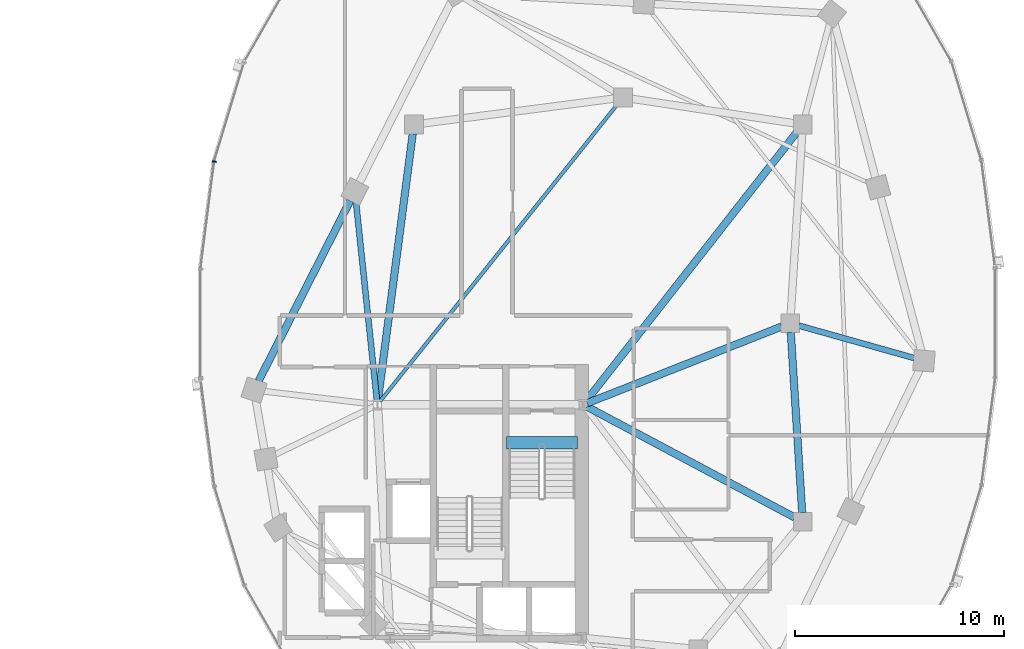
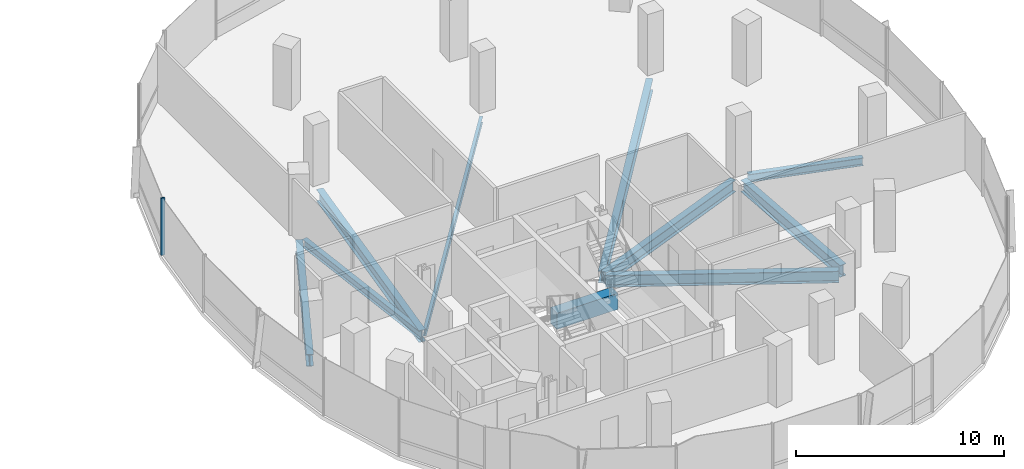
# One storey, part 7 of 22: 10 beams, 1 member, 1 element without a shape of its own.
"""IFC4 building model written with IfcOpenShell, lengths in metres."""

import ifcopenshell
import ifcopenshell.guid

model = None  # the IFC model being written
_history = None  # IfcOwnerHistory: only IFC2X3 demands one
_inside = {}  # id of a spatial element -> (the spatial element, [elements in it])
_under = {}  # id of a project, library or spatial element -> (it, [spatial elements below it])
_declared = {}  # id of a project -> (the project, [libraries it declares])
_typed = {}  # id of a type object -> (the type object, [elements of that type])
_made_of = {}  # id of a material, layer set ... -> (it, [elements and type objects made of it])


def new_model(schema):
    """Start an empty IFC model of exactly this schema.

    Asked for "IFC4X3", IfcOpenShell would pick the latest addendum, in which some entities
    have other attributes; the version numbers below select the first issue.
    IFC2X3 requires an IfcOwnerHistory on every rooted entity: one is made here for all.
    """
    global model, _history
    if schema == "IFC4X3":
        model = ifcopenshell.file(schema_version=(4, 3, 0, 0))
    else:
        model = ifcopenshell.file(schema=schema)
    _inside.clear()
    _under.clear()
    _declared.clear()
    _typed.clear()
    _made_of.clear()
    _history = None
    if model.schema == "IFC2X3":
        org = make("IfcOrganization", Name="unknown")
        user = make(
            "IfcPersonAndOrganization",
            ThePerson=make("IfcPerson", FamilyName="unknown"),
            TheOrganization=org,
        )
        app = make(
            "IfcApplication",
            ApplicationDeveloper=org,
            Version="unknown",
            ApplicationFullName="unknown",
            ApplicationIdentifier="unknown",
        )
        _history = make(
            "IfcOwnerHistory",
            OwningUser=user,
            OwningApplication=app,
            ChangeAction="ADDED",
            CreationDate=0,
        )
    return model


def make(cls, **values):
    """One entity of the class cls with the attributes given. An attribute that is None is left unset."""
    return model.create_entity(
        cls, **{name: value for name, value in values.items() if value is not None}
    )


def rooted(cls, **values):
    """An entity with a GlobalId (a new one), such as an element, a storey or a relation."""
    return make(cls, GlobalId=ifcopenshell.guid.new(), OwnerHistory=_history, **values)


def si_unit(unit_type, name, prefix=None):
    """IfcSIUnit, for example si_unit("LENGTHUNIT", "METRE", prefix="MILLI")."""
    return make("IfcSIUnit", UnitType=unit_type, Prefix=prefix, Name=name)


def assignment(units):
    """IfcUnitAssignment: the units of a project."""
    return None if units is None else make("IfcUnitAssignment", Units=units)


def point(xyz):
    """IfcCartesianPoint."""
    return None if xyz is None else make("IfcCartesianPoint", Coordinates=xyz)


def direction(xyz):
    """IfcDirection."""
    return None if xyz is None else make("IfcDirection", DirectionRatios=xyz)


def frame(location, z_axis=None, x_axis=None):
    """IfcAxis2Placement3D, a coordinate frame: its origin and axes. An axis left out is left unset."""
    return make(
        "IfcAxis2Placement3D",
        Location=point(location),
        Axis=direction(z_axis),
        RefDirection=direction(x_axis),
    )


def frame_2d(location, x_axis=None):
    """IfcAxis2Placement2D, a coordinate frame in the plane: its origin and x axis."""
    return make(
        "IfcAxis2Placement2D", Location=point(location), RefDirection=direction(x_axis)
    )


def origin():
    """The frame at (0, 0, 0) with its axes left unset."""
    return frame((0.0, 0.0, 0.0))


def origin_2d():
    """The frame at (0, 0) in the plane with its x axis left unset."""
    return frame_2d((0.0, 0.0))


def place(relative_to, where):
    """IfcLocalPlacement: puts the frame where relative to a parent placement (None: the world)."""
    return make(
        "IfcLocalPlacement", PlacementRelTo=relative_to, RelativePlacement=where
    )


def context(
    kind, dimensions, precision=None, world=None, true_north=None, identifier=None
):
    """IfcGeometricRepresentationContext, for example the 3D "Model" context."""
    return make(
        "IfcGeometricRepresentationContext",
        ContextIdentifier=identifier,
        ContextType=kind,
        CoordinateSpaceDimension=dimensions,
        Precision=precision,
        WorldCoordinateSystem=world,
        TrueNorth=true_north,
    )


def subcontext(parent, identifier, kind, view, scale=None):
    """IfcGeometricRepresentationSubContext, for example "Body" below "Model"."""
    return make(
        "IfcGeometricRepresentationSubContext",
        ContextIdentifier=identifier,
        ContextType=kind,
        ParentContext=parent,
        TargetScale=scale,
        TargetView=view,
    )


def project(units=None, contexts=None):
    """IfcProject with its units and contexts."""
    return rooted(
        "IfcProject",
        Name="project",
        RepresentationContexts=contexts,
        UnitsInContext=assignment(units),
    )


def spatial(cls, under=None, at=None, **own):
    """A site, building, storey or space (cls), placed at a placement, below another one or the project."""
    s = rooted(cls, ObjectPlacement=at, **own)
    if under is not None:
        _under.setdefault(under.id(), (under, []))[1].append(s)
    return s


def profile(cls, at=None, kind="AREA", **sizes):
    """A parametric profile (cls). Its sizes go by their IFC names, for example OverallWidth=200.0."""
    return make(cls, ProfileType=kind, Position=at, **sizes)


def rectangle(**sizes):
    """IfcRectangleProfileDef."""
    return profile("IfcRectangleProfileDef", **sizes)


def i_section(**sizes):
    """IfcIShapeProfileDef."""
    return profile("IfcIShapeProfileDef", **sizes)


def extrude(swept, where, along, depth):
    """IfcExtrudedAreaSolid: the profile swept, set in the frame where, extruded along a direction by depth."""
    return make(
        "IfcExtrudedAreaSolid",
        SweptArea=swept,
        Position=where,
        ExtrudedDirection=direction(along),
        Depth=depth,
    )


def shape(context_of_items, identifier, shape_type, items):
    """IfcShapeRepresentation: the items that make up one representation, for example the "Body"."""
    return make(
        "IfcShapeRepresentation",
        ContextOfItems=context_of_items,
        RepresentationIdentifier=identifier,
        RepresentationType=shape_type,
        Items=items,
    )


def material(Name=None, Category=None):
    """IfcMaterial."""
    return make("IfcMaterial", Name=Name, Category=Category)


def material_profile(
    of_material, cross_section, Name=None, Category=None, Priority=None
):
    """IfcMaterialProfile: a cross section and its material."""
    return make(
        "IfcMaterialProfile",
        Name=Name,
        Material=of_material,
        Profile=cross_section,
        Priority=Priority,
        Category=Category,
    )


def profile_set(profiles, Name=None, composite=None):
    """IfcMaterialProfileSet."""
    return make(
        "IfcMaterialProfileSet",
        Name=Name,
        MaterialProfiles=profiles,
        CompositeProfile=composite,
    )


def made_of(thing, what):
    """Note that an element or type object is made of a material, layer set ...; save() writes the relation."""
    if what is not None:
        _made_of.setdefault(what.id(), (what, []))[1].append(thing)
    return thing


def type_object(cls, material=None, **own):
    """A type object (cls), such as IfcWallType, which elements share."""
    return made_of(rooted(cls, **own), material)


def element(
    cls,
    number,
    at=None,
    inside=None,
    cuts=None,
    type_object=None,
    material=None,
    context=None,
    identifier="Body",
    shape_type=None,
    held_by="IfcProductDefinitionShape",
    body=None,
    shapes=None,
    **own,
):
    """One element of the class cls, such as IfcWall. Its Tag is "e" and its number.

    at: its placement. inside: the storey or other place that contains it. cuts: it is an
    opening in that element (IfcRelVoidsElement). A single representation is given by context,
    identifier, shape_type and body (its items); several are given by shapes. held_by: the class
    of the entity that holds the representations. save() writes the other relations.
    """
    e = rooted(cls, Tag="e%d" % number, ObjectPlacement=at, **own)
    if body is not None:
        shapes = [shape(context, identifier, shape_type, body)]
    if shapes is not None:
        e.Representation = make(held_by, Representations=shapes)
    if inside is not None:
        _inside.setdefault(inside.id(), (inside, []))[1].append(e)
    if cuts is not None:
        rooted(
            "IfcRelVoidsElement", RelatingBuildingElement=cuts, RelatedOpeningElement=e
        )
    if type_object is not None:
        _typed.setdefault(type_object.id(), (type_object, []))[1].append(e)
    return made_of(e, material)


def aggregate(whole, parts):
    """IfcRelAggregates: a whole, such as a stair, and the parts it consists of."""
    return rooted("IfcRelAggregates", RelatingObject=whole, RelatedObjects=parts)


def save(model, path):
    """Write the relations noted so far, then the file.

    IfcRelAggregates (storeys below a building ...), IfcRelContainedInSpatialStructure (elements
    in a storey), IfcRelDefinesByType, IfcRelAssociatesMaterial and IfcRelDeclares: one each for
    every whole, place, type object, material and project.
    """
    for whole, parts in _under.values():
        aggregate(whole, parts)
    for where, things in _inside.values():
        rooted(
            "IfcRelContainedInSpatialStructure",
            RelatedElements=things,
            RelatingStructure=where,
        )
    for kind, things in _typed.values():
        rooted("IfcRelDefinesByType", RelatedObjects=things, RelatingType=kind)
    for what, things in _made_of.values():
        rooted("IfcRelAssociatesMaterial", RelatedObjects=things, RelatingMaterial=what)
    for by, libraries in _declared.values():
        rooted("IfcRelDeclares", RelatingContext=by, RelatedDefinitions=libraries)
    model.write(path)


model = new_model("IFC4")

# Units and contexts
model_context = context("Model", 3, precision=1e-05, world=origin(), true_north=direction((0.0, 1.0)))
body_context = subcontext(model_context, "Body", "Model", "MODEL_VIEW")
ifc_project = project(units=[si_unit("LENGTHUNIT", "METRE"), si_unit("AREAUNIT", "SQUARE_METRE"), si_unit("VOLUMEUNIT", "CUBIC_METRE"), si_unit("PLANEANGLEUNIT", "RADIAN"), si_unit("MASSUNIT", "GRAM", prefix="KILO"), si_unit("THERMODYNAMICTEMPERATUREUNIT", "KELVIN"), si_unit("POWERUNIT", "WATT")], contexts=[model_context])

# Site, building, storey
site_placement = place(None, origin())
site = spatial("IfcSite", under=ifc_project, at=site_placement, CompositionType="ELEMENT")
building_placement = place(site_placement, origin())
building = spatial("IfcBuilding", under=site, at=building_placement, Name="Cundina Bronze Exchange", CompositionType="ELEMENT")
storey_placement = place(building_placement, frame((0.0, 0.0, 144.0)))
storey = spatial("IfcBuildingStorey", under=building, at=storey_placement, Name="L37", CompositionType="ELEMENT", Elevation=144.0)

# Beams
ifc_material_1 = material(Name="Concrete C60/75", Category="concrete")
ifc_material_profile_1 = material_profile(ifc_material_1, rectangle(XDim=0.60009765625, YDim=0.949951171875, at=origin_2d()), Name="RC600X950", Category="concrete")
ifc_profile_set_1 = profile_set([ifc_material_profile_1], Name="Concrete C60/75")
beam_type_1 = type_object("IfcBeamType", Name="BM-COUP-RC950", PredefinedType="LINTEL", material=ifc_profile_set_1)
beam_1_placement = place(storey_placement, frame((27.6201171875, -5.719970703125, -0.47509765625), z_axis=(1.0, 0.0, 0.0), x_axis=(0.0, 1.0, 0.0)))
element("IfcBeam", 1, at=beam_1_placement, inside=storey, type_object=beam_type_1, Name="L37 Stair E1 Landing Header Beam", PredefinedType="LINTEL", context=body_context, shape_type="SweptSolid", body=[
    extrude(rectangle(XDim=0.60009765625, YDim=0.949951171875, at=origin_2d()), origin(), (0.0, 0.0, 1.0), 3.39990234375),
])
ifc_material_2 = material(Name="Steel ASTM A992 Grade 50", Category="steel")
ifc_material_profile_2 = material_profile(ifc_material_2, i_section(OverallWidth=0.280029296875, OverallDepth=0.462890625, WebThickness=0.0107421875, FlangeThickness=0.017333984375, FilletRadius=0.011962890625, at=origin_2d()), Name="W18X76", Category="steel")
ifc_profile_set_2 = profile_set([ifc_material_profile_2], Name="Steel ASTM A992 Grade 50")
beam_type_2 = type_object("IfcBeamType", Name="BM-FLR-W18A", PredefinedType="BEAM", material=ifc_profile_set_2)
beam_2_placement = place(storey_placement, frame((41.62158203125, -0.11865234375, -0.471435546875), z_axis=(0.962649202648, -0.270751754643, 0.0), x_axis=(0.270751754643, 0.962649202648, 0.0)))
element("IfcBeam", 2, at=beam_2_placement, inside=storey, type_object=beam_type_2, Name="L37 Leg E Chordal Floor Beam 08", PredefinedType="BEAM", context=body_context, shape_type="SweptSolid", body=[
    extrude(i_section(OverallWidth=0.280029296875, OverallDepth=0.462890625, WebThickness=0.0107421875, FlangeThickness=0.017333984375, FilletRadius=0.011962890625, at=origin_2d()), origin(), (0.0, 0.0, 1.0), 5.72216796875),
])
beam_3_placement = place(storey_placement, frame((21.4287109375, -3.697021484375, -0.471435546875), z_axis=(-0.104834931651, 0.9944896365, 0.0), x_axis=(-0.9944896365, -0.104834931651, 0.0)))
element("IfcBeam", 3, at=beam_3_placement, inside=storey, type_object=beam_type_2, Name="L37 Leg E Chordal Floor Beam 13", PredefinedType="BEAM", context=body_context, shape_type="SweptSolid", body=[
    extrude(i_section(OverallWidth=0.280029296875, OverallDepth=0.462890625, WebThickness=0.0107421875, FlangeThickness=0.017333984375, FilletRadius=0.011962890625, at=origin_2d()), origin(), (0.0, 0.0, 1.0), 9.564453125),
])
ifc_material_profile_3 = material_profile(ifc_material_2, i_section(OverallWidth=0.172119140625, OverallDepth=0.35791015625, WebThickness=0.0078125, FlangeThickness=0.01318359375, FilletRadius=0.010009765625, at=origin_2d()), Name="W14X38", Category="steel")
ifc_profile_set_3 = profile_set([ifc_material_profile_3], Name="Steel ASTM A992 Grade 50")
beam_type_3 = type_object("IfcBeamType", Name="BM-JST-W14", PredefinedType="JOIST", material=ifc_profile_set_3)
beam_4_placement = place(storey_placement, frame((21.577392578125, -3.740478515625, -0.4189453125), z_axis=(0.624370675223, 0.781128196854, 0.0), x_axis=(-0.781128196854, 0.624370675223, 0.0)))
element("IfcBeam", 4, at=beam_4_placement, inside=storey, type_object=beam_type_3, Name="L37 E Interior Core-to-Ring Joist 2", PredefinedType="JOIST", context=body_context, shape_type="SweptSolid", body=[
    extrude(i_section(OverallWidth=0.172119140625, OverallDepth=0.35791015625, WebThickness=0.0078125, FlangeThickness=0.01318359375, FilletRadius=0.010009765625, at=origin_2d()), origin(), (0.0, 0.0, 1.0), 18.177001953125),
])
ifc_material_profile_4 = material_profile(ifc_material_2, i_section(OverallWidth=0.35498046875, OverallDepth=0.695068359375, WebThickness=0.015380859375, FlangeThickness=0.02490234375, FilletRadius=0.01806640625, at=origin_2d()), Name="W27X146", Category="steel")
ifc_profile_set_4 = profile_set([ifc_material_profile_4], Name="Steel ASTM A992 Grade 50")
beam_type_4 = type_object("IfcBeamType", Name="BM-RING-W27", PredefinedType="USERDEFINED", material=ifc_profile_set_4)
beam_5_placement = place(storey_placement, frame((41.7724609375, -9.06298828125, -0.58740234375), z_axis=(-0.063046519736, 0.998010589297, 0.0), x_axis=(-0.998010589297, -0.063046519736, 0.0)))
element("IfcBeam", 5, at=beam_5_placement, inside=storey, type_object=beam_type_4, Name="L37 E Inner Structural Ring Girder 03", ObjectType="GIRDER", PredefinedType="USERDEFINED", context=body_context, shape_type="SweptSolid", body=[
    extrude(i_section(OverallWidth=0.35498046875, OverallDepth=0.695068359375, WebThickness=0.015380859375, FlangeThickness=0.02490234375, FilletRadius=0.01806640625, at=origin_2d()), origin(), (0.0, 0.0, 1.0), 8.64306640625),
])
beam_6_placement = place(storey_placement, frame((23.143310546875, 9.065673828125, -0.58740234375), z_axis=(-0.129507030047, -0.991578503785, 0.0), x_axis=(0.991578503785, -0.129507030047, 0.0)))
element("IfcBeam", 6, at=beam_6_placement, inside=storey, type_object=beam_type_4, Name="L37 E Inner Structural Ring Girder 07", ObjectType="GIRDER", PredefinedType="USERDEFINED", context=body_context, shape_type="SweptSolid", body=[
    extrude(i_section(OverallWidth=0.35498046875, OverallDepth=0.695068359375, WebThickness=0.015380859375, FlangeThickness=0.02490234375, FilletRadius=0.01806640625, at=origin_2d()), origin(), (0.0, 0.0, 1.0), 12.871826171875),
])
beam_7_placement = place(storey_placement, frame((31.48974609375, -3.8251953125, -0.58740234375), z_axis=(0.930405617189, 0.36653156413, 0.0), x_axis=(-0.36653156413, 0.930405617189, 0.0)))
element("IfcBeam", 7, at=beam_7_placement, inside=storey, type_object=beam_type_4, Name="L37 E Core-to-Waist Tie Beam 1", ObjectType="GIRDER", PredefinedType="USERDEFINED", context=body_context, shape_type="SweptSolid", body=[
    extrude(i_section(OverallWidth=0.35498046875, OverallDepth=0.695068359375, WebThickness=0.015380859375, FlangeThickness=0.02490234375, FilletRadius=0.01806640625, at=origin_2d()), origin(), (0.0, 0.0, 1.0), 9.99853515625),
])
beam_8_placement = place(storey_placement, frame((31.47998046875, -3.99609375, -0.58740234375), z_axis=(0.88235534237, -0.470583733028, 0.0), x_axis=(0.470583733028, 0.88235534237, 0.0)))
element("IfcBeam", 8, at=beam_8_placement, inside=storey, type_object=beam_type_4, Name="L37 E Core-to-Waist Tie Beam 2", ObjectType="GIRDER", PredefinedType="USERDEFINED", context=body_context, shape_type="SweptSolid", body=[
    extrude(i_section(OverallWidth=0.35498046875, OverallDepth=0.695068359375, WebThickness=0.015380859375, FlangeThickness=0.02490234375, FilletRadius=0.01806640625, at=origin_2d()), origin(), (0.0, 0.0, 1.0), 11.258056640625),
])
beam_9_placement = place(storey_placement, frame((31.42578125, -3.739501953125, -0.58740234375), z_axis=(0.616779109924, 0.787136283982, 0.0), x_axis=(-0.787136283982, 0.616779109924, 0.0)))
element("IfcBeam", 9, at=beam_9_placement, inside=storey, type_object=beam_type_4, Name="L37 E Core-to-Waist Tie Beam 3", ObjectType="GIRDER", PredefinedType="USERDEFINED", context=body_context, shape_type="SweptSolid", body=[
    extrude(i_section(OverallWidth=0.35498046875, OverallDepth=0.695068359375, WebThickness=0.015380859375, FlangeThickness=0.02490234375, FilletRadius=0.01806640625, at=origin_2d()), origin(), (0.0, 0.0, 1.0), 16.3818359375),
])
beam_10_placement = place(storey_placement, frame((20.154052734375, 5.864990234375, -0.58740234375), z_axis=(-0.452834585354, -0.891594548159, 0.0), x_axis=(0.891594548159, -0.452834585354, 0.0)))
element("IfcBeam", 10, at=beam_10_placement, inside=storey, type_object=beam_type_4, Name="L37 E Perimeter Ring Girder 13", ObjectType="GIRDER", PredefinedType="USERDEFINED", context=body_context, shape_type="SweptSolid", body=[
    extrude(i_section(OverallWidth=0.35498046875, OverallDepth=0.695068359375, WebThickness=0.015380859375, FlangeThickness=0.02490234375, FilletRadius=0.01806640625, at=origin_2d()), origin(), (0.0, 0.0, 1.0), 9.67919921875),
])

# Curtain wall, member
ifc_material_3 = material(Name="Anodised Bronze Aluminium 6063-T6", Category="aluminium")
curtain_wall_type = type_object("IfcCurtainWallType", Name="CWS-WST-PIN", PredefinedType="NOTDEFINED", material=ifc_material_3)
curtain_wall_placement = place(storey_placement, origin())
curtain_wall = element("IfcCurtainWall", 11, at=curtain_wall_placement, inside=storey, type_object=curtain_wall_type, Name="L37 CW-04 Curtain Wall Run CWR-L37-E2", PredefinedType="NOTDEFINED")
ifc_material_profile_5 = material_profile(ifc_material_3, rectangle(XDim=0.070068359375, YDim=0.18994140625, at=origin_2d()), Name="AL70X190", Category="aluminium")
ifc_profile_set_5 = profile_set([ifc_material_profile_5], Name="Anodised Bronze Aluminium 6063-T6")
member_type = type_object("IfcMemberType", Name="CWM-MUL-190", PredefinedType="MULLION", material=ifc_profile_set_5)
member_placement = place(storey_placement, frame((13.642822265625, 7.731689453125, 0.0), z_axis=(0.0, 0.0, 1.0), x_axis=(-0.126545236492, -0.991960837494, 0.0)))
member = element("IfcMember", 12, at=member_placement, type_object=member_type, Name="CW-04 Mullion 6", PredefinedType="MULLION", context=body_context, shape_type="SweptSolid", body=[
    extrude(rectangle(XDim=0.070068359375, YDim=0.18994140625, at=origin_2d()), origin(), (0.0, 0.0, 1.0), 3.360107421875),
])
aggregate(curtain_wall, [member])

save(model, "model.ifc")
